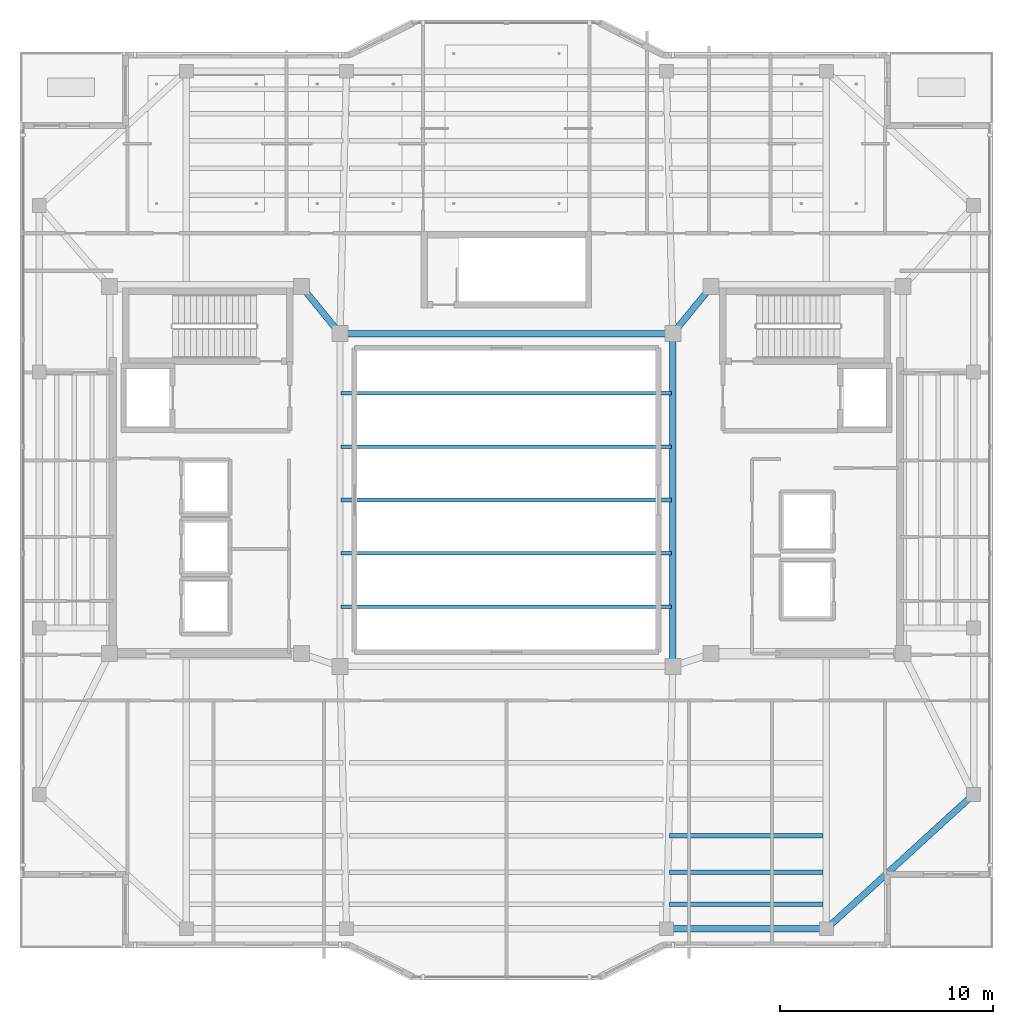
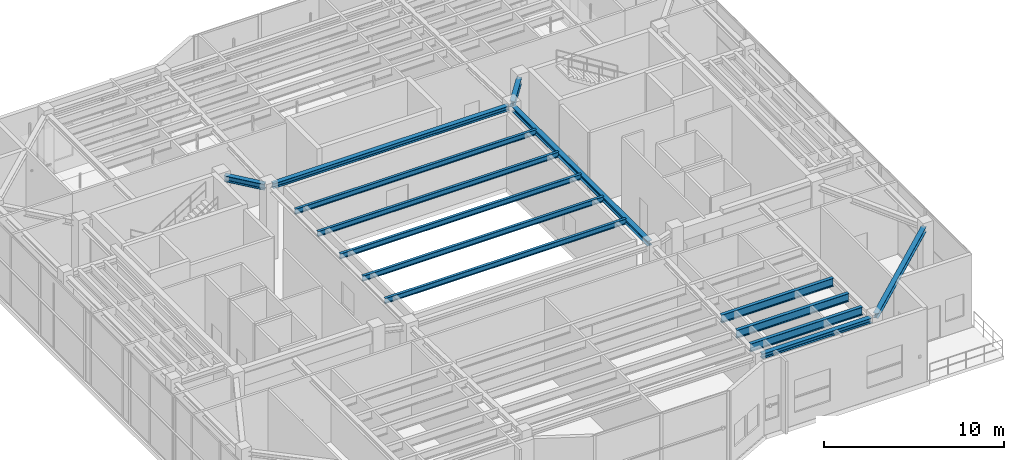
# One storey, part 7 of 23: 14 beams.
"""IFC4 building model written with IfcOpenShell, lengths in metres."""

from ifc_helpers import new_model, si_unit, direction, frame, origin, origin_2d, place, context, subcontext, project, spatial, i_section, extrude, material, material_profile, profile_set, type_object, element, save


model = new_model("IFC4")

# Units and contexts
model_context = context("Model", 3, precision=1e-05, world=origin(), true_north=direction((0.0, 1.0)))
body_context = subcontext(model_context, "Body", "Model", "MODEL_VIEW")
ifc_project = project(units=[si_unit("LENGTHUNIT", "METRE"), si_unit("AREAUNIT", "SQUARE_METRE"), si_unit("VOLUMEUNIT", "CUBIC_METRE"), si_unit("PLANEANGLEUNIT", "RADIAN"), si_unit("MASSUNIT", "GRAM", prefix="KILO")], contexts=[model_context])

# Site, building, storey
site_placement = place(None, origin())
site = spatial("IfcSite", under=ifc_project, at=site_placement, CompositionType="ELEMENT")
building_placement = place(site_placement, origin())
building = spatial("IfcBuilding", under=site, at=building_placement, Name="Tarnavaz Court Tower", CompositionType="ELEMENT")
storey_placement = place(building_placement, frame((0.0, 0.0, 276.300048828125)))
storey = spatial("IfcBuildingStorey", under=building, at=storey_placement, Name="L75", CompositionType="ELEMENT", Elevation=276.300048828125)

# Beams
ifc_material = material(Name="Steel S355", Category="steel")
ifc_material_profile_1 = material_profile(ifc_material, i_section(OverallWidth=0.300048828125, OverallDepth=0.39990234375, WebThickness=0.013427734375, FlangeThickness=0.02392578125, FilletRadius=0.027099609375, at=origin_2d()), Name="HEB 400")
ifc_profile_set_1 = profile_set([ifc_material_profile_1], Name="Steel S355")
beam_type_1 = type_object("IfcBeamType", Name="BM-G-HEB400", PredefinedType="USERDEFINED", material=ifc_profile_set_1)
for number, where, z_axis, x_axis, name in (
    (1, (-9.460693359375, 9.82958984375, 4.75), (0.633282058357, -0.773921077735, 0.0), (0.773921077735, 0.633282058357, 0.0), "L75 Beam IN-CW-NI-IW-NW"),
    (2, (9.460693359375, 9.82958984375, 4.75), (-0.633282058357, -0.773921077735, 0.0), (0.773921077735, -0.633282058357, 0.0), "L75 Beam IN-CE-NI-IW-NE"),
):
    element("IfcBeam", number, at=place(storey_placement, frame(where, z_axis=z_axis, x_axis=x_axis)), inside=storey, type_object=beam_type_1, Name=name, ObjectType="GIRDER", PredefinedType="USERDEFINED", context=body_context, shape_type="SweptSolid", body=[
        extrude(i_section(OverallWidth=0.300048828125, OverallDepth=0.39990234375, WebThickness=0.013427734375, FlangeThickness=0.02392578125, FilletRadius=0.027099609375, at=origin_2d()), origin(), (0.0, 0.0, 1.0), 2.402587890625),
    ])
ifc_material_profile_2 = material_profile(ifc_material, i_section(OverallWidth=0.169921875, OverallDepth=0.360107421875, WebThickness=0.008056640625, FlangeThickness=0.0126953125, FilletRadius=0.01806640625, at=origin_2d()), Name="IPE 360")
ifc_profile_set_2 = profile_set([ifc_material_profile_2], Name="Steel S355")
beam_type_2 = type_object("IfcBeamType", Name="BM-J-IPE360", PredefinedType="JOIST", material=ifc_profile_set_2)
for number, where, z_axis, x_axis, name in (
    (3, (-7.75, -5.0, 4.77001953125), (1.0, 0.0, 0.0), (0.0, 1.0, 0.0), "L75 Beam SKYLIGHT-PURLIN-1"),
    (4, (-7.75, -2.5, 4.77001953125), (1.0, 0.0, 0.0), (0.0, 1.0, 0.0), "L75 Beam SKYLIGHT-PURLIN-2"),
    (5, (-7.75, 0.0, 4.77001953125), (1.0, 0.0, 0.0), (0.0, 1.0, 0.0), "L75 Beam SKYLIGHT-PURLIN-3"),
    (6, (-7.75, 2.5, 4.77001953125), (1.0, 0.0, 0.0), (0.0, 1.0, 0.0), "L75 Beam SKYLIGHT-PURLIN-4"),
    (7, (-7.75, 5.0, 4.77001953125), (1.0, 0.0, 0.0), (0.0, 1.0, 0.0), "L75 Beam SKYLIGHT-PURLIN-5"),
):
    element("IfcBeam", number, at=place(storey_placement, frame(where, z_axis=z_axis, x_axis=x_axis)), inside=storey, type_object=beam_type_2, Name=name, PredefinedType="JOIST", context=body_context, shape_type="SweptSolid", body=[
        extrude(i_section(OverallWidth=0.169921875, OverallDepth=0.360107421875, WebThickness=0.008056640625, FlangeThickness=0.0126953125, FilletRadius=0.01806640625, at=origin_2d()), origin(), (0.0, 0.0, 1.0), 15.5),
    ])
ifc_material_profile_3 = material_profile(ifc_material, i_section(OverallWidth=0.2099609375, OverallDepth=0.550048828125, WebThickness=0.010986328125, FlangeThickness=0.01708984375, FilletRadius=0.02392578125, at=origin_2d()), Name="IPE 550")
ifc_profile_set_3 = profile_set([ifc_material_profile_3], Name="Steel S355")
beam_type_3 = type_object("IfcBeamType", Name="BM-J-IPE550", PredefinedType="JOIST", material=ifc_profile_set_3)
for number, where, z_axis, x_axis, name in (
    (8, (7.64990234375, -15.72998046875, 4.675048828125), (1.0, 0.0, 0.0), (0.0, 1.0, 0.0), "L75 Beam JS3-3"),
    (9, (7.64990234375, -17.43994140625, 4.675048828125), (1.0, 0.0, 0.0), (0.0, 1.0, 0.0), "L75 Beam JS4-3"),
    (10, (7.64990234375, -18.9599609375, 4.675048828125), (1.0, 0.0, 0.0), (0.0, 1.0, 0.0), "L75 Beam JS5-3"),
):
    element("IfcBeam", number, at=place(storey_placement, frame(where, z_axis=z_axis, x_axis=x_axis)), inside=storey, type_object=beam_type_3, Name=name, PredefinedType="JOIST", context=body_context, shape_type="SweptSolid", body=[
        extrude(i_section(OverallWidth=0.2099609375, OverallDepth=0.550048828125, WebThickness=0.010986328125, FlangeThickness=0.01708984375, FilletRadius=0.02392578125, at=origin_2d()), origin(), (0.0, 0.0, 1.0), 7.2001953125),
    ])
ifc_material_profile_4 = material_profile(ifc_material, i_section(OverallWidth=0.300048828125, OverallDepth=0.330078125, WebThickness=0.009521484375, FlangeThickness=0.0166015625, FilletRadius=0.027099609375, at=origin_2d()), Name="HEA 340")
ifc_profile_set_4 = profile_set([ifc_material_profile_4], Name="Steel S355")
beam_type_4 = type_object("IfcBeamType", Name="BM-SP-HEA340", PredefinedType="BEAM", material=ifc_profile_set_4)
for number, where, z_axis, x_axis, name in (
    (11, (-7.580078125, 7.800048828125, 4.784912109375), (1.0, 0.0, 0.0), (0.0, 1.0, 0.0), "L75 Beam IN-IW-NW-IW-NE"),
    (12, (7.800048828125, -7.580078125, 4.784912109375), (0.0, 1.0, 0.0), (-1.0, 0.0, 0.0), "L75 Beam IN-IW-SE-IW-NE"),
):
    element("IfcBeam", number, at=place(storey_placement, frame(where, z_axis=z_axis, x_axis=x_axis)), inside=storey, type_object=beam_type_4, Name=name, PredefinedType="BEAM", context=body_context, shape_type="SweptSolid", body=[
        extrude(i_section(OverallWidth=0.300048828125, OverallDepth=0.330078125, WebThickness=0.009521484375, FlangeThickness=0.0166015625, FilletRadius=0.027099609375, at=origin_2d()), origin(), (0.0, 0.0, 1.0), 15.16015625),
    ])
beam_1_placement = place(storey_placement, frame((7.719970703125, -20.10009765625, 4.784912109375), z_axis=(1.0, 0.0, 0.0), x_axis=(0.0, 1.0, 0.0)))
element("IfcBeam", 13, at=beam_1_placement, inside=storey, type_object=beam_type_4, Name="L75 Beam PR-PS-3-PS-4", PredefinedType="BEAM", context=body_context, shape_type="SweptSolid", body=[
    extrude(i_section(OverallWidth=0.300048828125, OverallDepth=0.330078125, WebThickness=0.009521484375, FlangeThickness=0.0166015625, FilletRadius=0.027099609375, at=origin_2d()), origin(), (0.0, 0.0, 1.0), 7.06005859375),
])
beam_2_placement = place(storey_placement, frame((21.737548828125, -13.9482421875, 4.784912109375), z_axis=(-0.738474214476, -0.674281717499, 0.0), x_axis=(0.674281717499, -0.738474214476, 0.0)))
element("IfcBeam", 14, at=beam_2_placement, inside=storey, type_object=beam_type_4, Name="L75 Beam PR-PE-1-PS-4", PredefinedType="BEAM", context=body_context, shape_type="SweptSolid", body=[
    extrude(i_section(OverallWidth=0.300048828125, OverallDepth=0.330078125, WebThickness=0.009521484375, FlangeThickness=0.0166015625, FilletRadius=0.027099609375, at=origin_2d()), origin(), (0.0, 0.0, 1.0), 8.9033203125),
])

save(model, "model.ifc")
